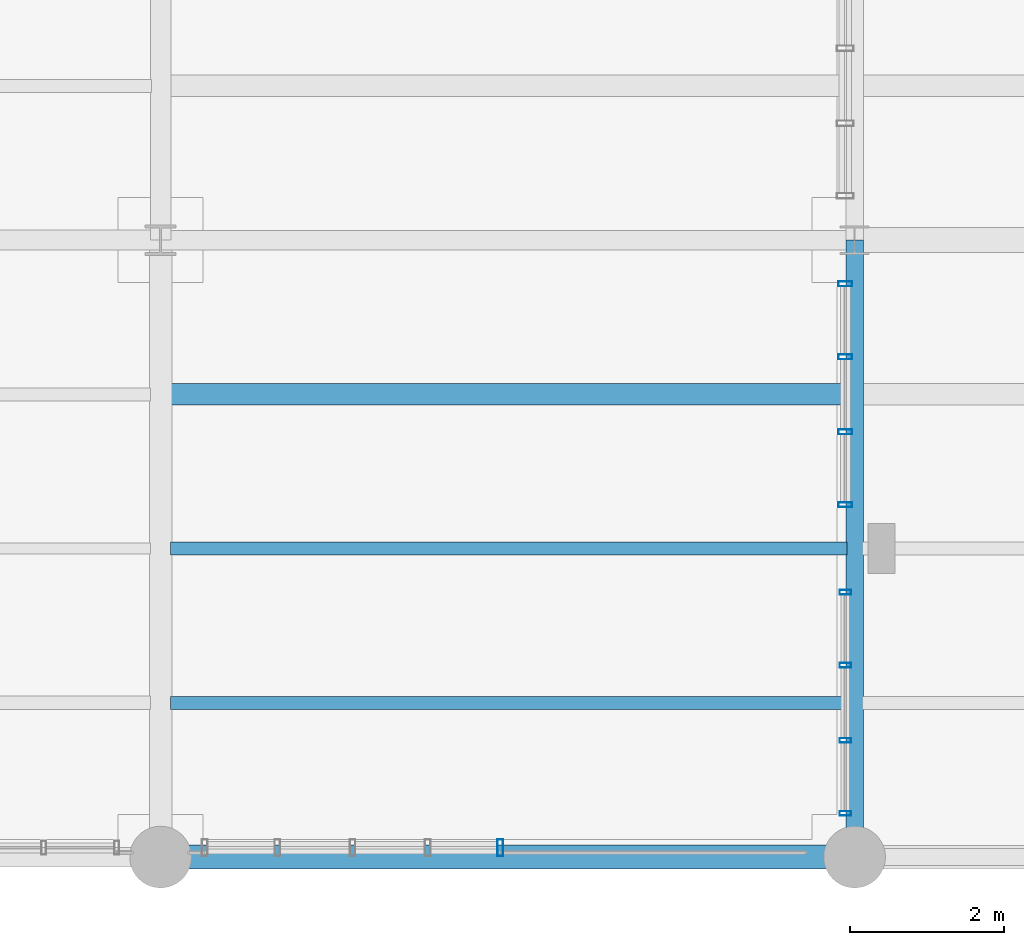
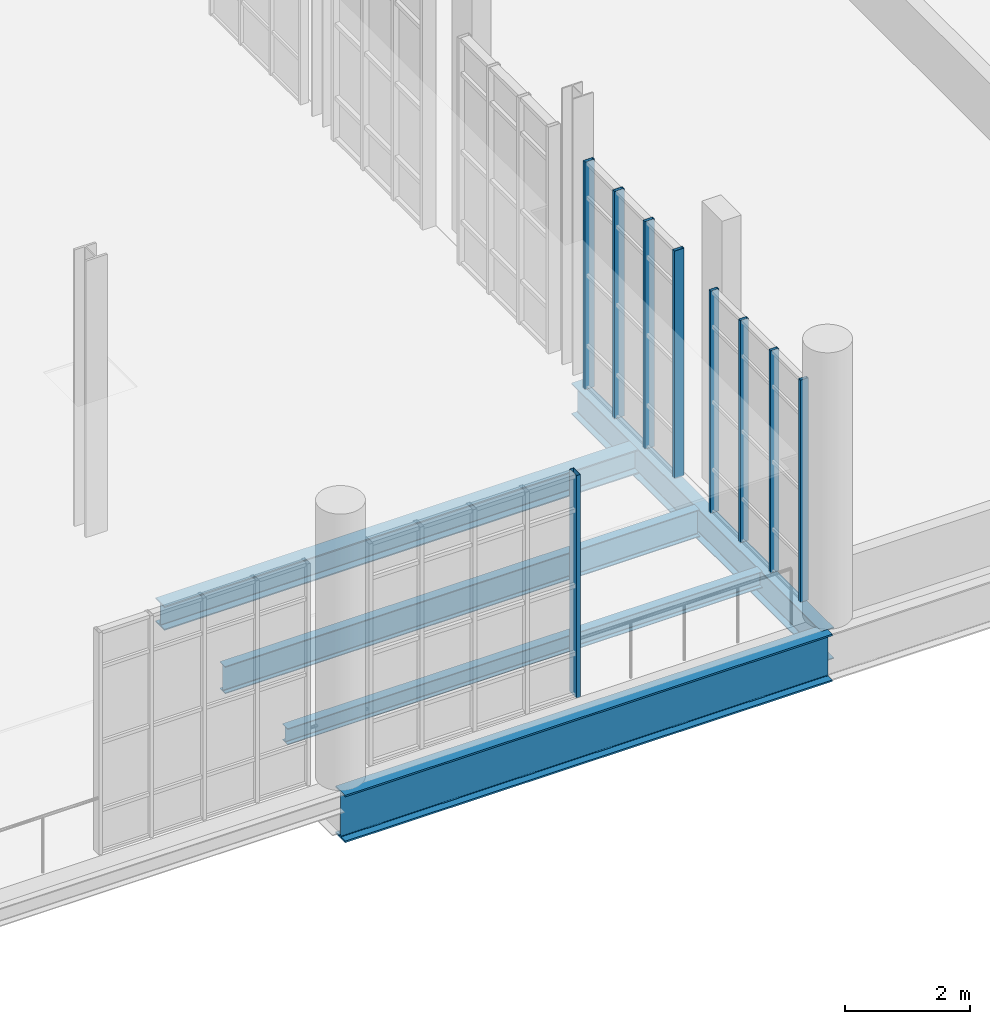
# One storey, part 72 of 142: 9 members, 5 beams, 3 elements without a shape of their own.
"""IFC4 building model written with IfcOpenShell, lengths in metres."""

from ifc_helpers import new_model, si_unit, direction, frame, origin, origin_2d, place, context, subcontext, project, spatial, hollow_rectangle, i_section, extrude, material, layer, layer_set, material_profile, profile_set, type_object, element, aggregate, save


model = new_model("IFC4")

# Units and contexts
model_context = context("Model", 3, precision=1e-05, world=origin(), true_north=direction((0.0, 1.0)))
body_context = subcontext(model_context, "Body", "Model", "MODEL_VIEW")
ifc_project = project(units=[si_unit("LENGTHUNIT", "METRE"), si_unit("AREAUNIT", "SQUARE_METRE"), si_unit("VOLUMEUNIT", "CUBIC_METRE"), si_unit("PLANEANGLEUNIT", "RADIAN"), si_unit("MASSUNIT", "GRAM", prefix="KILO"), si_unit("THERMODYNAMICTEMPERATUREUNIT", "KELVIN"), si_unit("POWERUNIT", "WATT")], contexts=[model_context])

# Site, building, storey
site_placement = place(None, origin())
site = spatial("IfcSite", under=ifc_project, at=site_placement, CompositionType="ELEMENT")
building_placement = place(site_placement, origin())
building = spatial("IfcBuilding", under=site, at=building_placement, Name="Zelmaris Science Centre", CompositionType="ELEMENT")
storey_placement = place(building_placement, frame((0.0, 0.0, 5.39990234375)))
storey = spatial("IfcBuildingStorey", under=building, at=storey_placement, Name="L01", CompositionType="ELEMENT", Elevation=5.39990234375)

# Curtain wall, members
ifc_material_1 = material(Name="Anodised architectural aluminium 6063-T6", Category="aluminium")
ifc_layer_1 = layer(ifc_material_1, 0.219970703125, Name="Anodised architectural aluminium 6063-T6")
ifc_layer_set_1 = layer_set([ifc_layer_1], Name="Anodised architectural aluminium 6063-T6")
curtain_wall_type_1 = type_object("IfcCurtainWallType", Name="Curtain Wall CW-04", PredefinedType="USERDEFINED", material=ifc_layer_set_1)
curtain_wall_1_placement = place(storey_placement, origin())
curtain_wall_1 = element("IfcCurtainWall", 1, at=curtain_wall_1_placement, inside=storey, type_object=curtain_wall_type_1, Name="L01 Unitised curtain wall 160", ObjectType="GLAZED CURTAIN WALL", PredefinedType="USERDEFINED")
ifc_material_profile_1 = material_profile(ifc_material_1, hollow_rectangle(XDim=0.06005859375, YDim=0.14990234375, WallThickness=0.00341796875, at=origin_2d()), Name="ALU-MUL-60X150")
ifc_profile_set_1 = profile_set([ifc_material_profile_1], Name="Anodised architectural aluminium 6063-T6")
member_type_1 = type_object("IfcMemberType", Name="ALU-MUL-60X150", PredefinedType="MULLION", material=ifc_profile_set_1)
member_1_placement = place(storey_placement, frame((143.8798828125, 11.43408203125, -0.014892578125), z_axis=(0.0, 0.0, 1.0), x_axis=(0.0, -1.0, 0.0)))
member_1 = element("IfcMember", 2, at=member_1_placement, type_object=member_type_1, Name="CW-04 mullion 1", PredefinedType="MULLION", context=body_context, shape_type="SweptSolid", body=[
    extrude(hollow_rectangle(XDim=0.06005859375, YDim=0.14990234375, WallThickness=0.00341796875, at=origin_2d()), origin(), (0.0, 0.0, 1.0), 4.340087890625),
])
member_2_placement = place(storey_placement, frame((143.8798828125, 10.48681640625, -0.014892578125), z_axis=(0.0, 0.0, 1.0), x_axis=(0.0, -1.0, 0.0)))
member_2 = element("IfcMember", 3, at=member_2_placement, type_object=member_type_1, Name="CW-04 mullion 2", PredefinedType="MULLION", context=body_context, shape_type="SweptSolid", body=[
    extrude(hollow_rectangle(XDim=0.06005859375, YDim=0.14990234375, WallThickness=0.00341796875, at=origin_2d()), origin(), (0.0, 0.0, 1.0), 4.340087890625),
])
member_3_placement = place(storey_placement, frame((143.8798828125, 9.513427734375, -0.014892578125), z_axis=(0.0, 0.0, 1.0), x_axis=(0.0, -1.0, 0.0)))
member_3 = element("IfcMember", 4, at=member_3_placement, type_object=member_type_1, Name="CW-04 mullion 3", PredefinedType="MULLION", context=body_context, shape_type="SweptSolid", body=[
    extrude(hollow_rectangle(XDim=0.06005859375, YDim=0.14990234375, WallThickness=0.00341796875, at=origin_2d()), origin(), (0.0, 0.0, 1.0), 4.340087890625),
])
member_4_placement = place(storey_placement, frame((143.8798828125, 8.566162109375, -0.014892578125), z_axis=(0.0, 0.0, 1.0), x_axis=(0.0, -1.0, 0.0)))
member_4 = element("IfcMember", 5, at=member_4_placement, type_object=member_type_1, Name="CW-04 mullion 4", PredefinedType="MULLION", context=body_context, shape_type="SweptSolid", body=[
    extrude(hollow_rectangle(XDim=0.06005859375, YDim=0.14990234375, WallThickness=0.00341796875, at=origin_2d()), origin(), (0.0, 0.0, 1.0), 4.340087890625),
])
aggregate(curtain_wall_1, [member_1, member_2, member_3, member_4])

ifc_layer_2 = layer(ifc_material_1, 0.2099609375, Name="Anodised architectural aluminium 6063-T6")
ifc_layer_set_2 = layer_set([ifc_layer_2], Name="Anodised architectural aluminium 6063-T6")
curtain_wall_type_2 = type_object("IfcCurtainWallType", Name="Curtain Wall CW-03", PredefinedType="USERDEFINED", material=ifc_layer_set_2)
curtain_wall_2_placement = place(storey_placement, origin())
curtain_wall_2 = element("IfcCurtainWall", 6, at=curtain_wall_2_placement, inside=storey, type_object=curtain_wall_type_2, Name="L01 Unitised curtain wall 159", ObjectType="GLAZED CURTAIN WALL", PredefinedType="USERDEFINED")
ifc_material_profile_2 = material_profile(ifc_material_1, hollow_rectangle(XDim=0.06494140625, YDim=0.179931640625, WallThickness=0.00390625, at=origin_2d()), Name="ALU-MUL-65X180")
ifc_profile_set_2 = profile_set([ifc_material_profile_2], Name="Anodised architectural aluminium 6063-T6")
member_type_2 = type_object("IfcMemberType", Name="ALU-MUL-65X180", PredefinedType="MULLION", material=ifc_profile_set_2)
member_5_placement = place(storey_placement, frame((143.8798828125, 15.431396484375, -0.014892578125), z_axis=(0.0, 0.0, 1.0), x_axis=(0.0, -1.0, 0.0)))
member_5 = element("IfcMember", 7, at=member_5_placement, type_object=member_type_2, Name="CW-03 mullion 1", PredefinedType="MULLION", context=body_context, shape_type="SweptSolid", body=[
    extrude(hollow_rectangle(XDim=0.06494140625, YDim=0.179931640625, WallThickness=0.00390625, at=origin_2d()), origin(), (0.0, 0.0, 1.0), 4.44189453125),
])
member_6_placement = place(storey_placement, frame((143.8798828125, 14.486572265625, -0.014892578125), z_axis=(0.0, 0.0, 1.0), x_axis=(0.0, -1.0, 0.0)))
member_6 = element("IfcMember", 8, at=member_6_placement, type_object=member_type_2, Name="CW-03 mullion 2", PredefinedType="MULLION", context=body_context, shape_type="SweptSolid", body=[
    extrude(hollow_rectangle(XDim=0.06494140625, YDim=0.179931640625, WallThickness=0.00390625, at=origin_2d()), origin(), (0.0, 0.0, 1.0), 4.44189453125),
])
member_7_placement = place(storey_placement, frame((143.8798828125, 13.513427734375, -0.014892578125), z_axis=(0.0, 0.0, 1.0), x_axis=(0.0, -1.0, 0.0)))
member_7 = element("IfcMember", 9, at=member_7_placement, type_object=member_type_2, Name="CW-03 mullion 3", PredefinedType="MULLION", context=body_context, shape_type="SweptSolid", body=[
    extrude(hollow_rectangle(XDim=0.06494140625, YDim=0.179931640625, WallThickness=0.00390625, at=origin_2d()), origin(), (0.0, 0.0, 1.0), 4.44189453125),
])
member_8_placement = place(storey_placement, frame((143.8798828125, 12.568603515625, -0.014892578125), z_axis=(0.0, 0.0, 1.0), x_axis=(0.0, -1.0, 0.0)))
member_8 = element("IfcMember", 10, at=member_8_placement, type_object=member_type_2, Name="CW-03 mullion 4", PredefinedType="MULLION", context=body_context, shape_type="SweptSolid", body=[
    extrude(hollow_rectangle(XDim=0.06494140625, YDim=0.179931640625, WallThickness=0.00390625, at=origin_2d()), origin(), (0.0, 0.0, 1.0), 4.44189453125),
])
aggregate(curtain_wall_2, [member_5, member_6, member_7, member_8])

# Curtain wall, member
ifc_layer_3 = layer(ifc_material_1, 0.199951171875, Name="Anodised architectural aluminium 6063-T6")
ifc_layer_set_3 = layer_set([ifc_layer_3], Name="Anodised architectural aluminium 6063-T6")
curtain_wall_type_3 = type_object("IfcCurtainWallType", Name="Curtain Wall CW-02", PredefinedType="USERDEFINED", material=ifc_layer_set_3)
curtain_wall_3_placement = place(storey_placement, origin())
curtain_wall_3 = element("IfcCurtainWall", 11, at=curtain_wall_3_placement, inside=storey, type_object=curtain_wall_type_3, Name="L01 Unitised curtain wall 162", ObjectType="GLAZED CURTAIN WALL", PredefinedType="USERDEFINED")
ifc_material_profile_3 = material_profile(ifc_material_1, hollow_rectangle(XDim=0.074951171875, YDim=0.219970703125, WallThickness=0.0048828125, at=origin_2d()), Name="ALU-MUL-75X220")
ifc_profile_set_3 = profile_set([ifc_material_profile_3], Name="Anodised architectural aluminium 6063-T6")
member_type_3 = type_object("IfcMemberType", Name="ALU-MUL-75X220", PredefinedType="MULLION", material=ifc_profile_set_3)
member_9_placement = place(storey_placement, frame((139.406494140625, 8.1201171875, -0.014892578125), z_axis=(0.0, 0.0, 1.0), x_axis=(-1.0, 0.0, 0.0)))
member_9 = element("IfcMember", 12, at=member_9_placement, type_object=member_type_3, Name="CW-02 mullion 1", PredefinedType="MULLION", context=body_context, shape_type="SweptSolid", body=[
    extrude(hollow_rectangle(XDim=0.074951171875, YDim=0.219970703125, WallThickness=0.0048828125, at=origin_2d()), origin(), (0.0, 0.0, 1.0), 4.35009765625),
])
aggregate(curtain_wall_3, [member_9])

# Beams
ifc_material_2 = material(Name="Steel ASTM A992 Grade 50", Category="steel")
ifc_material_profile_4 = material_profile(ifc_material_2, i_section(OverallWidth=0.306884765625, OverallDepth=0.927001953125, WebThickness=0.019287109375, FlangeThickness=0.031982421875, FilletRadius=0.02392578125, at=origin_2d()), Name="W36X194")
ifc_profile_set_4 = profile_set([ifc_material_profile_4], Name="Steel ASTM A992 Grade 50")
beam_type_1 = type_object("IfcBeamType", Name="Beam G-03 W36X194", PredefinedType="BEAM", material=ifc_profile_set_4)
beam_1_placement = place(storey_placement, frame((135.0, 8.0, -0.743408203125), z_axis=(1.0, 0.0, 0.0), x_axis=(0.0, 1.0, 0.0)))
element("IfcBeam", 13, at=beam_1_placement, inside=storey, type_object=beam_type_1, Name="L01 East-west girder 341", PredefinedType="BEAM", context=body_context, shape_type="SweptSolid", body=[
    extrude(i_section(OverallWidth=0.306884765625, OverallDepth=0.927001953125, WebThickness=0.019287109375, FlangeThickness=0.031982421875, FilletRadius=0.02392578125, at=origin_2d()), origin(), (0.0, 0.0, 1.0), 9.0),
])
ifc_material_profile_5 = material_profile(ifc_material_2, i_section(OverallWidth=0.22900390625, OverallDepth=0.612060546875, WebThickness=0.011962890625, FlangeThickness=0.01953125, FilletRadius=0.014892578125, at=origin_2d()), Name="W24X84")
ifc_profile_set_5 = profile_set([ifc_material_profile_5], Name="Steel ASTM A992 Grade 50")
beam_type_2 = type_object("IfcBeamType", Name="Beam G-16 W24X84", PredefinedType="BEAM", material=ifc_profile_set_5)
beam_2_placement = place(storey_placement, frame((144.0, 8.0, -0.5859375), z_axis=(0.0, 1.0, 0.0), x_axis=(-1.0, 0.0, 0.0)))
element("IfcBeam", 14, at=beam_2_placement, inside=storey, type_object=beam_type_2, Name="L01 North-south girder 319", PredefinedType="BEAM", context=body_context, shape_type="SweptSolid", body=[
    extrude(i_section(OverallWidth=0.22900390625, OverallDepth=0.612060546875, WebThickness=0.011962890625, FlangeThickness=0.01953125, FilletRadius=0.014892578125, at=origin_2d()), origin(), (0.0, 0.0, 1.0), 8.0),
])
ifc_material_profile_6 = material_profile(ifc_material_2, i_section(OverallWidth=0.16796875, OverallDepth=0.532958984375, WebThickness=0.01025390625, FlangeThickness=0.0166015625, FilletRadius=0.013916015625, at=origin_2d()), Name="W21X57")
ifc_profile_set_6 = profile_set([ifc_material_profile_6], Name="Steel ASTM A992 Grade 50")
beam_type_3 = type_object("IfcBeamType", Name="Beam J-01 W21X57", PredefinedType="JOIST", material=ifc_profile_set_6)
beam_3_placement = place(storey_placement, frame((135.131103515625, 12.0, -0.54638671875), z_axis=(1.0, 0.0, 0.0), x_axis=(0.0, 1.0, 0.0)))
element("IfcBeam", 15, at=beam_3_placement, inside=storey, type_object=beam_type_3, Name="L01 Composite floor joist 198", PredefinedType="JOIST", context=body_context, shape_type="SweptSolid", body=[
    extrude(i_section(OverallWidth=0.16796875, OverallDepth=0.532958984375, WebThickness=0.01025390625, FlangeThickness=0.0166015625, FilletRadius=0.013916015625, at=origin_2d()), origin(), (0.0, 0.0, 1.0), 8.769287109375),
])
ifc_material_profile_7 = material_profile(ifc_material_2, i_section(OverallWidth=0.281982421875, OverallDepth=0.471923828125, WebThickness=0.013671875, FlangeThickness=0.022216796875, FilletRadius=0.012939453125, at=origin_2d()), Name="W18X97")
ifc_profile_set_7 = profile_set([ifc_material_profile_7], Name="Steel ASTM A992 Grade 50")
beam_type_4 = type_object("IfcBeamType", Name="Beam J-02 W18X97", PredefinedType="JOIST", material=ifc_profile_set_7)
beam_4_placement = place(storey_placement, frame((135.131103515625, 14.0, -0.515869140625), z_axis=(1.0, 0.0, 0.0), x_axis=(0.0, 1.0, 0.0)))
element("IfcBeam", 16, at=beam_4_placement, inside=storey, type_object=beam_type_4, Name="L01 Composite floor joist 199", PredefinedType="JOIST", context=body_context, shape_type="SweptSolid", body=[
    extrude(i_section(OverallWidth=0.281982421875, OverallDepth=0.471923828125, WebThickness=0.013671875, FlangeThickness=0.022216796875, FilletRadius=0.012939453125, at=origin_2d()), origin(), (0.0, 0.0, 1.0), 8.769287109375),
])
ifc_material_profile_8 = material_profile(ifc_material_2, i_section(OverallWidth=0.1669921875, OverallDepth=0.318115234375, WebThickness=0.007568359375, FlangeThickness=0.01318359375, FilletRadius=0.011962890625, at=origin_2d()), Name="W12X35")
ifc_profile_set_8 = profile_set([ifc_material_profile_8], Name="Steel ASTM A992 Grade 50")
beam_type_5 = type_object("IfcBeamType", Name="Beam J-09 W12X35", PredefinedType="JOIST", material=ifc_profile_set_8)
beam_5_placement = place(storey_placement, frame((135.131103515625, 10.0, -0.43896484375), z_axis=(1.0, 0.0, 0.0), x_axis=(0.0, 1.0, 0.0)))
element("IfcBeam", 17, at=beam_5_placement, inside=storey, type_object=beam_type_5, Name="L01 Composite floor joist 197", PredefinedType="JOIST", context=body_context, shape_type="SweptSolid", body=[
    extrude(i_section(OverallWidth=0.1669921875, OverallDepth=0.318115234375, WebThickness=0.007568359375, FlangeThickness=0.01318359375, FilletRadius=0.011962890625, at=origin_2d()), origin(), (0.0, 0.0, 1.0), 8.769287109375),
])

save(model, "model.ifc")
